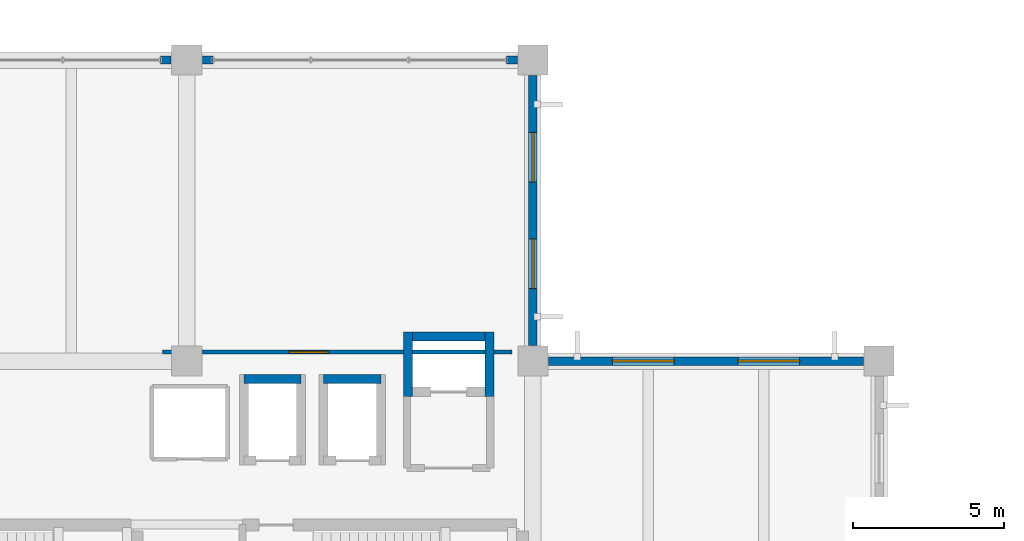
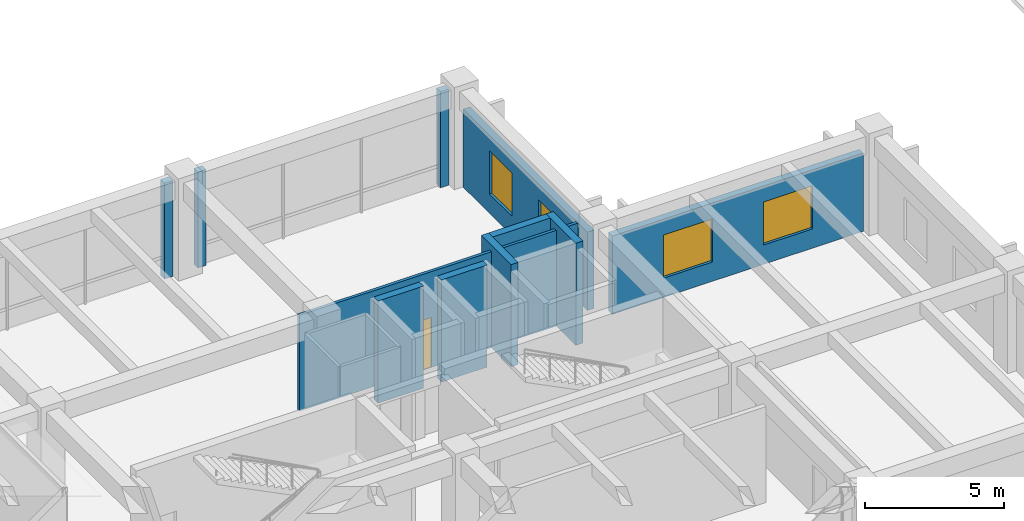
# One storey, part 142 of 154: 11 walls, 4 windows, 1 door, 5 openings.
"""IFC4 building model written with IfcOpenShell, lengths in metres."""

from ifc_helpers import new_model, si_unit, direction, frame, frame_2d, origin, place, context, subcontext, project, spatial, rectangle, extrude, material, layer, layer_set, type_object, element, fill, save


model = new_model("IFC4")

# Units and contexts
model_context = context("Model", 3, precision=1e-05, world=origin(), true_north=direction((0.0, 1.0)))
body_context = subcontext(model_context, "Body", "Model", "MODEL_VIEW")
ifc_project = project(units=[si_unit("LENGTHUNIT", "METRE"), si_unit("AREAUNIT", "SQUARE_METRE"), si_unit("VOLUMEUNIT", "CUBIC_METRE"), si_unit("PLANEANGLEUNIT", "RADIAN"), si_unit("MASSUNIT", "GRAM", prefix="KILO")], contexts=[model_context])

# Site, building, storey
site_placement = place(None, origin())
site = spatial("IfcSite", under=ifc_project, at=site_placement, CompositionType="ELEMENT")
building_placement = place(site_placement, origin())
building = spatial("IfcBuilding", under=site, at=building_placement, Name="Ologun Quay Terminus", CompositionType="ELEMENT")
storey_placement = place(building_placement, frame((0.0, 0.0, 13.800048828125)))
storey = spatial("IfcBuildingStorey", under=building, at=storey_placement, Name="L03", CompositionType="ELEMENT", Elevation=13.800048828125)

# Wall, opening, door
ifc_material_1 = material(Name="Glass", Category="glass")
ifc_layer_1 = layer(ifc_material_1, 0.125)
ifc_layer_set_1 = layer_set([ifc_layer_1], Name="Glass")
wall_type_1 = type_object("IfcWallType", Name="Control Room Observation Glazed Partition 125", PredefinedType="MOVABLE", material=ifc_layer_set_1)
wall_1_placement = place(storey_placement, frame((137.199951171875, 105.10009765625, 0.0), z_axis=(0.0, 0.0, 1.0), x_axis=(1.0, 0.0, 0.0)))
wall_1 = element("IfcWall", 1, at=wall_1_placement, inside=storey, type_object=wall_type_1, Name="PW-12 Partition L03-Dispatch-S", PredefinedType="MOVABLE", context=body_context, shape_type="SweptSolid", body=[
    extrude(rectangle(XDim=11.60009765625, YDim=0.125, at=frame_2d((5.800048828125, 0.0))), origin(), (0.0, 0.0, 1.0), 4.219970703125),
])
opening_1_placement = place(wall_1_placement, frame((4.199951171875, 0.0, 0.0)))
opening_1 = element("IfcOpeningElement", 2, at=opening_1_placement, cuts=wall_1, Name="Opening ID-330", PredefinedType="OPENING", context=body_context, shape_type="SweptSolid", body=[
    extrude(rectangle(XDim=1.300048828125, YDim=2.199951171875, at=frame_2d((0.64990234375, 1.10009765625))), frame((0.0, 0.072509765625, 0.0), z_axis=(0.0, -1.0, 0.0), x_axis=(1.0, 0.0, 0.0)), (0.0, 0.0, 1.0), 0.14501953125),
])
ifc_material_2 = material(Name="Steel S355", Category="steel")
door_type = type_object("IfcDoorType", Name="Traffic Control Security Door 1300x2200", OperationType="SINGLE_SWING_LEFT", PredefinedType="DOOR", material=ifc_material_2)
door_placement = place(opening_1_placement, origin())
door = element("IfcDoor", 3, at=door_placement, inside=storey, type_object=door_type, Name="ID-09 Door ID-330", OperationType="SINGLE_SWING_LEFT", OverallHeight=2.199951171875, OverallWidth=1.300048828125, PredefinedType="DOOR", context=body_context, shape_type="SweptSolid", body=[
    extrude(rectangle(XDim=1.300048828125, YDim=2.199951171875, at=frame_2d((0.64990234375, 1.10009765625))), frame((0.0, 0.02490234375, 0.0), z_axis=(0.0, -1.0, 0.0), x_axis=(1.0, 0.0, 0.0)), (0.0, 0.0, 1.0), 0.050048828125),
])
fill(opening_1, door)

# Wall, openings, windows
ifc_material_3 = material(Name="Concrete C40/50", Category="concrete")
ifc_layer_2 = layer(ifc_material_3, 0.280029296875)
ifc_layer_set_2 = layer_set([ifc_layer_2], Name="Concrete C40/50")
wall_type_2 = type_object("IfcWallType", Name="Courtyard Wing Spandrel Concrete Wall 280", PredefinedType="SOLIDWALL", material=ifc_layer_set_2)
wall_2_placement = place(storey_placement, frame((150.02001953125, 104.800048828125, 0.0), z_axis=(0.0, 0.0, 1.0), x_axis=(1.0, 0.0, 0.0)))
wall_2 = element("IfcWall", 4, at=wall_2_placement, inside=storey, type_object=wall_type_2, Name="EW-02 Facade Wall WEW-EW-L03-7", PredefinedType="SOLIDWALL", context=body_context, shape_type="SweptSolid", body=[
    extrude(rectangle(XDim=10.4599609375, YDim=0.280029296875, at=frame_2d((5.22998046875, 0.0))), origin(), (0.0, 0.0, 1.0), 3.449951171875),
])
opening_2_placement = place(wall_2_placement, frame((2.1201171875, 0.0, 0.85009765625)))
opening_2 = element("IfcOpeningElement", 5, at=opening_2_placement, cuts=wall_2, Name="Opening WN-422", PredefinedType="OPENING", context=body_context, shape_type="SweptSolid", body=[
    extrude(rectangle(XDim=2.050048828125, YDim=1.89990234375, at=frame_2d((1.02490234375, 0.949951171875))), frame((0.0, 0.14990234375, 0.0), z_axis=(0.0, -1.0, 0.0), x_axis=(1.0, 0.0, 0.0)), (0.0, 0.0, 1.0), 0.300048828125),
])
opening_3_placement = place(wall_2_placement, frame((6.2900390625, 0.0, 0.85009765625)))
opening_3 = element("IfcOpeningElement", 6, at=opening_3_placement, cuts=wall_2, Name="Opening WN-423", PredefinedType="OPENING", context=body_context, shape_type="SweptSolid", body=[
    extrude(rectangle(XDim=2.050048828125, YDim=1.89990234375, at=frame_2d((1.02490234375, 0.949951171875))), frame((0.0, 0.14990234375, 0.0), z_axis=(0.0, -1.0, 0.0), x_axis=(1.0, 0.0, 0.0)), (0.0, 0.0, 1.0), 0.300048828125),
])
ifc_material_4 = material(Name="Glass", Category="glass")
window_type_1 = type_object("IfcWindowType", Name="Dispatch Hall Twin Window 2050x1900", PartitioningType="SINGLE_PANEL", PredefinedType="WINDOW", material=ifc_material_4)
window_1_placement = place(opening_2_placement, origin())
window_1 = element("IfcWindow", 7, at=window_1_placement, inside=storey, type_object=window_type_1, Name="W-22 Window WN-422", OverallHeight=1.89990234375, OverallWidth=2.050048828125, PartitioningType="SINGLE_PANEL", PredefinedType="WINDOW", context=body_context, shape_type="SweptSolid", body=[
    extrude(rectangle(XDim=2.050048828125, YDim=1.89990234375, at=frame_2d((1.02490234375, 0.949951171875))), frame((0.0, 0.030029296875, 0.0), z_axis=(0.0, -1.0, 0.0), x_axis=(1.0, 0.0, 0.0)), (0.0, 0.0, 1.0), 0.06005859375),
])
fill(opening_2, window_1)
window_2_placement = place(opening_3_placement, origin())
window_2 = element("IfcWindow", 8, at=window_2_placement, inside=storey, type_object=window_type_1, Name="W-22 Window WN-423", OverallHeight=1.89990234375, OverallWidth=2.050048828125, PartitioningType="SINGLE_PANEL", PredefinedType="WINDOW", context=body_context, shape_type="SweptSolid", body=[
    extrude(rectangle(XDim=2.050048828125, YDim=1.89990234375, at=frame_2d((1.02490234375, 0.949951171875))), frame((0.0, 0.030029296875, 0.0), z_axis=(0.0, -1.0, 0.0), x_axis=(1.0, 0.0, 0.0)), (0.0, 0.0, 1.0), 0.06005859375),
])
fill(opening_3, window_2)

wall_3_placement = place(storey_placement, frame((149.5, 105.320068359375, 0.0), z_axis=(0.0, 0.0, 1.0), x_axis=(0.0, 1.0, 0.0)))
wall_3 = element("IfcWall", 9, at=wall_3_placement, inside=storey, type_object=wall_type_2, Name="EW-02 Facade Wall WEW-EW-L03-8", PredefinedType="SOLIDWALL", context=body_context, shape_type="SweptSolid", body=[
    extrude(rectangle(XDim=8.9599609375, YDim=0.280029296875, at=frame_2d((4.47998046875, 0.0))), origin(), (0.0, 0.0, 1.0), 3.449951171875),
])
opening_4_placement = place(wall_3_placement, frame((1.88671875, 0.0, 0.85009765625)))
opening_4 = element("IfcOpeningElement", 10, at=opening_4_placement, cuts=wall_3, Name="Opening WN-424", PredefinedType="OPENING", context=body_context, shape_type="SweptSolid", body=[
    extrude(rectangle(XDim=1.64990234375, YDim=1.89990234375, at=frame_2d((0.824951171875, 0.949951171875))), frame((0.0, 0.14990234375, 0.0), z_axis=(0.0, -1.0, 0.0), x_axis=(1.0, 0.0, 0.0)), (0.0, 0.0, 1.0), 0.300048828125),
])
opening_5_placement = place(wall_3_placement, frame((5.42333984375, 0.0, 0.85009765625)))
opening_5 = element("IfcOpeningElement", 11, at=opening_5_placement, cuts=wall_3, Name="Opening WN-425", PredefinedType="OPENING", context=body_context, shape_type="SweptSolid", body=[
    extrude(rectangle(XDim=1.64990234375, YDim=1.89990234375, at=frame_2d((0.824951171875, 0.949951171875))), frame((0.0, 0.14990234375, 0.0), z_axis=(0.0, -1.0, 0.0), x_axis=(1.0, 0.0, 0.0)), (0.0, 0.0, 1.0), 0.300048828125),
])
ifc_material_5 = material(Name="Glass", Category="glass")
window_type_2 = type_object("IfcWindowType", Name="Operations Admin Solar Window 1650x1900", PartitioningType="SINGLE_PANEL", PredefinedType="WINDOW", material=ifc_material_5)
window_3_placement = place(opening_4_placement, origin())
window_3 = element("IfcWindow", 12, at=window_3_placement, inside=storey, type_object=window_type_2, Name="W-21 Window WN-424", OverallHeight=1.89990234375, OverallWidth=1.64990234375, PartitioningType="SINGLE_PANEL", PredefinedType="WINDOW", context=body_context, shape_type="SweptSolid", body=[
    extrude(rectangle(XDim=1.64990234375, YDim=1.89990234375, at=frame_2d((0.824951171875, 0.949951171875))), frame((0.0, 0.030029296875, 0.0), z_axis=(0.0, -1.0, 0.0), x_axis=(1.0, 0.0, 0.0)), (0.0, 0.0, 1.0), 0.06005859375),
])
fill(opening_4, window_3)
window_4_placement = place(opening_5_placement, origin())
window_4 = element("IfcWindow", 13, at=window_4_placement, inside=storey, type_object=window_type_2, Name="W-21 Window WN-425", OverallHeight=1.89990234375, OverallWidth=1.64990234375, PartitioningType="SINGLE_PANEL", PredefinedType="WINDOW", context=body_context, shape_type="SweptSolid", body=[
    extrude(rectangle(XDim=1.64990234375, YDim=1.89990234375, at=frame_2d((0.824951171875, 0.949951171875))), frame((0.0, 0.030029296875, 0.0), z_axis=(0.0, -1.0, 0.0), x_axis=(1.0, 0.0, 0.0)), (0.0, 0.0, 1.0), 0.06005859375),
])
fill(opening_5, window_4)

# Walls
for number, where, z_axis, x_axis, name in (
    (14, (137.1298828125, 114.800048828125, 0.0), (0.0, 0.0, 1.0), (1.0, 0.0, 0.0), "Curtain Wall Jamb Pier CW-L03-140-J2"),
    (15, (138.52001953125, 114.800048828125, 0.0), (0.0, 0.0, 1.0), (1.0, 0.0, 0.0), "Curtain Wall Jamb Pier CW-L03-141-J1"),
    (16, (148.6298828125, 114.800048828125, 0.0), (0.0, 0.0, 1.0), (1.0, 0.0, 0.0), "Curtain Wall Jamb Pier CW-L03-141-J2"),
):
    element("IfcWall", number, at=place(storey_placement, frame(where, z_axis=z_axis, x_axis=x_axis)), inside=storey, type_object=wall_type_2, Name=name, PredefinedType="SOLIDWALL", context=body_context, shape_type="SweptSolid", body=[
        extrude(rectangle(XDim=0.35009765625, YDim=0.280029296875, at=frame_2d((0.175048828125, 0.0))), origin(), (0.0, 0.0, 1.0), 4.22998046875),
    ])
ifc_material_6 = material(Name="Concrete C40/50", Category="concrete")
ifc_layer_3 = layer(ifc_material_6, 0.300048828125)
ifc_layer_set_3 = layer_set([ifc_layer_3], Name="Concrete C40/50")
wall_type_3 = type_object("IfcWallType", Name="Lift Shaft Structural Shear Wall 300", PredefinedType="SHEAR", material=ifc_layer_set_3)
wall_4_placement = place(storey_placement, frame((145.35009765625, 105.6201171875, 0.0), z_axis=(0.0, 0.0, 1.0), x_axis=(1.0, 0.0, 0.0)))
element("IfcWall", 17, at=wall_4_placement, inside=storey, type_object=wall_type_3, Name="Lift FFL-02 Shaft Wall N L03", PredefinedType="SHEAR", context=body_context, shape_type="SweptSolid", body=[
    extrude(rectangle(XDim=2.699951171875, YDim=0.300048828125, at=frame_2d((1.35009765625, 0.0))), origin(), (0.0, 0.0, 1.0), 4.5),
])
for number, where, z_axis, x_axis, name in (
    (18, (145.35009765625, 103.6298828125, 0.0), (0.0, 0.0, 1.0), (0.0, 1.0, 0.0), "Lift FFL-02 Shaft Wall W L03"),
    (19, (148.050048828125, 103.6298828125, 0.0), (0.0, 0.0, 1.0), (0.0, 1.0, 0.0), "Lift FFL-02 Shaft Wall E L03"),
):
    element("IfcWall", number, at=place(storey_placement, frame(where, z_axis=z_axis, x_axis=x_axis)), inside=storey, type_object=wall_type_3, Name=name, PredefinedType="SHEAR", context=body_context, shape_type="SweptSolid", body=[
        extrude(rectangle(XDim=2.14013671875, YDim=0.300048828125, at=frame_2d((1.070068359375, 0.0))), origin(), (0.0, 0.0, 1.0), 4.5),
    ])
wall_5_placement = place(storey_placement, frame((139.89990234375, 104.199951171875, 0.0), z_axis=(0.0, 0.0, 1.0), x_axis=(1.0, 0.0, 0.0)))
element("IfcWall", 20, at=wall_5_placement, inside=storey, type_object=wall_type_3, Name="Lift PL-E1 Shaft Wall N L03", PredefinedType="SHEAR", context=body_context, shape_type="SweptSolid", body=[
    extrude(rectangle(XDim=1.900146484375, YDim=0.300048828125, at=frame_2d((0.9501953125, 0.0))), origin(), (0.0, 0.0, 1.0), 4.5),
])
wall_6_placement = place(storey_placement, frame((142.550048828125, 104.199951171875, 0.0), z_axis=(0.0, 0.0, 1.0), x_axis=(1.0, 0.0, 0.0)))
element("IfcWall", 21, at=wall_6_placement, inside=storey, type_object=wall_type_3, Name="Lift PL-E2 Shaft Wall N L03", PredefinedType="SHEAR", context=body_context, shape_type="SweptSolid", body=[
    extrude(rectangle(XDim=1.89990234375, YDim=0.300048828125, at=frame_2d((0.949951171875, 0.0))), origin(), (0.0, 0.0, 1.0), 4.5),
])

save(model, "model.ifc")
